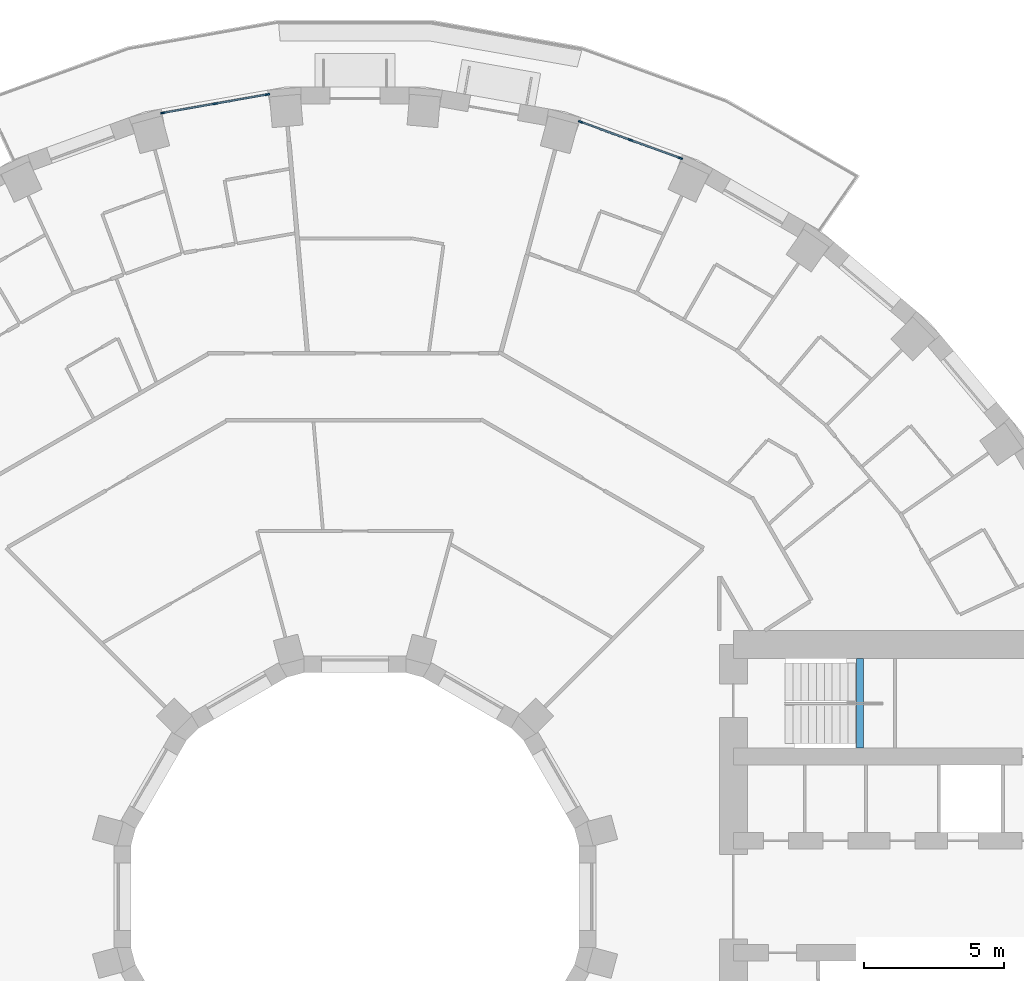
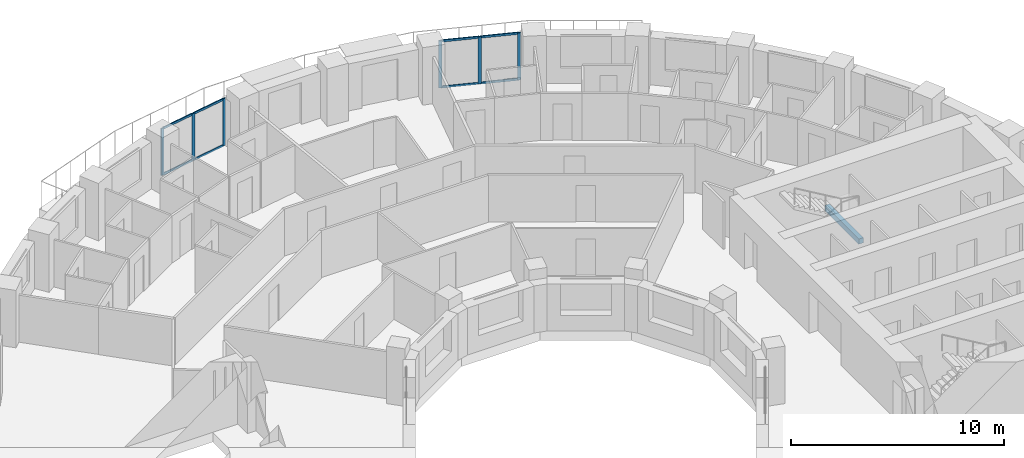
# One storey, part 2 of 15: 14 members, 1 beam, 2 elements without a shape of their own.
"""IFC4 building model written with IfcOpenShell, lengths in metres."""

from ifc_helpers import new_model, si_unit, direction, frame, origin, origin_2d, place, context, subcontext, project, spatial, rectangle, extrude, material, layer, layer_set, material_profile, profile_set, type_object, element, aggregate, save


model = new_model("IFC4")

# Units and contexts
model_context = context("Model", 3, precision=1e-05, world=origin(), true_north=direction((0.0, 1.0)))
body_context = subcontext(model_context, "Body", "Model", "MODEL_VIEW")
ifc_project = project(units=[si_unit("LENGTHUNIT", "METRE"), si_unit("AREAUNIT", "SQUARE_METRE"), si_unit("VOLUMEUNIT", "CUBIC_METRE"), si_unit("PLANEANGLEUNIT", "RADIAN"), si_unit("MASSUNIT", "GRAM", prefix="KILO")], contexts=[model_context])

# Site, building, storey
site_placement = place(None, origin())
site = spatial("IfcSite", under=ifc_project, at=site_placement, CompositionType="ELEMENT")
building_placement = place(site_placement, origin())
building = spatial("IfcBuilding", under=site, at=building_placement, Name="Saqina Gate Tower", CompositionType="ELEMENT")
storey_placement = place(building_placement, frame((0.0, 0.0, 79.10009765625)))
storey = spatial("IfcBuildingStorey", under=building, at=storey_placement, Name="L22", CompositionType="ELEMENT", Elevation=79.10009765625)

# Curtain wall, members
ifc_material_1 = material(Name="Aluminium glazing", Category="aluminium")
ifc_layer = layer(ifc_material_1, 0.159912109375)
ifc_layer_set = layer_set([ifc_layer], Name="CWT-4")
curtain_wall_type = type_object("IfcCurtainWallType", Name="CWT-4", PredefinedType="NOTDEFINED", material=ifc_layer_set)
curtain_wall_1_placement = place(storey_placement, origin())
curtain_wall_1 = element("IfcCurtainWall", 1, at=curtain_wall_1_placement, inside=storey, type_object=curtain_wall_type, Name="Terrace lounge glazing facet 7", PredefinedType="NOTDEFINED")
ifc_material_2 = material(Name="Aluminium", Category="aluminium")
ifc_material_profile_1 = material_profile(ifc_material_2, rectangle(XDim=0.06005859375, YDim=0.159912109375, at=origin_2d()), Name="Aluminium 60x160")
ifc_profile_set_1 = profile_set([ifc_material_profile_1], Name="Aluminium")
member_type_1 = type_object("IfcMemberType", Name="CWT-4M", PredefinedType="MULLION", material=ifc_profile_set_1)
member_1_placement = place(storey_placement, frame((11.6083984375, 26.359130859375, 0.0), z_axis=(0.0, 0.0, 1.0), x_axis=(-0.34200819699, -0.939696968811, 0.0)))
member_1 = element("IfcMember", 2, at=member_1_placement, type_object=member_type_1, Name="CW4-07 mullion 1", PredefinedType="MULLION", context=body_context, shape_type="SweptSolid", body=[
    extrude(rectangle(XDim=0.06005859375, YDim=0.159912109375, at=origin_2d()), origin(), (0.0, 0.0, 1.0), 2.699951171875),
])
member_2_placement = place(storey_placement, frame((9.82958984375, 27.00634765625, 0.0), z_axis=(0.0, 0.0, 1.0), x_axis=(-0.34200819699, -0.939696968811, 0.0)))
member_2 = element("IfcMember", 3, at=member_2_placement, type_object=member_type_1, Name="CW4-07 mullion 2", PredefinedType="MULLION", context=body_context, shape_type="SweptSolid", body=[
    extrude(rectangle(XDim=0.06005859375, YDim=0.159912109375, at=origin_2d()), origin(), (0.0, 0.0, 1.0), 2.699951171875),
])
member_3_placement = place(storey_placement, frame((8.05078125, 27.65380859375, 0.0), z_axis=(0.0, 0.0, 1.0), x_axis=(-0.34200819699, -0.939696968811, 0.0)))
member_3 = element("IfcMember", 4, at=member_3_placement, type_object=member_type_1, Name="CW4-07 mullion 3", PredefinedType="MULLION", context=body_context, shape_type="SweptSolid", body=[
    extrude(rectangle(XDim=0.06005859375, YDim=0.159912109375, at=origin_2d()), origin(), (0.0, 0.0, 1.0), 2.699951171875),
])

curtain_wall_2_placement = place(storey_placement, origin())
curtain_wall_2 = element("IfcCurtainWall", 5, at=curtain_wall_2_placement, inside=storey, type_object=curtain_wall_type, Name="Terrace lounge glazing facet 10", PredefinedType="NOTDEFINED")
member_4_placement = place(storey_placement, frame((-3.12646484375, 28.631591796875, 0.0), z_axis=(0.0, 0.0, 1.0), x_axis=(0.17364293059, -0.984808678199, 0.0)))
member_4 = element("IfcMember", 6, at=member_4_placement, type_object=member_type_1, Name="CW4-10 mullion 1", PredefinedType="MULLION", context=body_context, shape_type="SweptSolid", body=[
    extrude(rectangle(XDim=0.06005859375, YDim=0.159912109375, at=origin_2d()), origin(), (0.0, 0.0, 1.0), 2.699951171875),
])
member_5_placement = place(storey_placement, frame((-4.990478515625, 28.302978515625, 0.0), z_axis=(0.0, 0.0, 1.0), x_axis=(0.17364293059, -0.984808678199, 0.0)))
member_5 = element("IfcMember", 7, at=member_5_placement, type_object=member_type_1, Name="CW4-10 mullion 2", PredefinedType="MULLION", context=body_context, shape_type="SweptSolid", body=[
    extrude(rectangle(XDim=0.06005859375, YDim=0.159912109375, at=origin_2d()), origin(), (0.0, 0.0, 1.0), 2.699951171875),
])
member_6_placement = place(storey_placement, frame((-6.854736328125, 27.974365234375, 0.0), z_axis=(0.0, 0.0, 1.0), x_axis=(0.17364293059, -0.984808678199, 0.0)))
member_6 = element("IfcMember", 8, at=member_6_placement, type_object=member_type_1, Name="CW4-10 mullion 3", PredefinedType="MULLION", context=body_context, shape_type="SweptSolid", body=[
    extrude(rectangle(XDim=0.06005859375, YDim=0.159912109375, at=origin_2d()), origin(), (0.0, 0.0, 1.0), 2.699951171875),
])

# Member
ifc_material_3 = material(Name="Aluminium", Category="aluminium")
ifc_material_profile_2 = material_profile(ifc_material_3, rectangle(XDim=0.06005859375, YDim=0.1201171875, at=origin_2d()), Name="Aluminium 60x120")
ifc_profile_set_2 = profile_set([ifc_material_profile_2], Name="Aluminium")
member_type_2 = type_object("IfcMemberType", Name="CWT-4T", PredefinedType="USERDEFINED", material=ifc_profile_set_2)
member_7_placement = place(storey_placement, frame((11.580078125, 26.369384765625, 0.02978515625), z_axis=(-0.939727291942, 0.34192487008, 0.0), x_axis=(-0.34192487008, -0.939727291942, 0.0)))
member_7 = element("IfcMember", 9, at=member_7_placement, type_object=member_type_2, Name="CW4-07 transom 1.1", ObjectType="TRANSOM", PredefinedType="USERDEFINED", context=body_context, shape_type="SweptSolid", body=[
    extrude(rectangle(XDim=0.06005859375, YDim=0.1201171875, at=origin_2d()), origin(), (0.0, 0.0, 1.0), 1.832763671875),
])

member_8_placement = place(storey_placement, frame((11.580078125, 26.369384765625, 2.669921875), z_axis=(-0.939727291942, 0.34192487008, 0.0), x_axis=(-0.34192487008, -0.939727291942, 0.0)))
member_8 = element("IfcMember", 10, at=member_8_placement, type_object=member_type_2, Name="CW4-07 transom 1.2", ObjectType="TRANSOM", PredefinedType="USERDEFINED", context=body_context, shape_type="SweptSolid", body=[
    extrude(rectangle(XDim=0.06005859375, YDim=0.1201171875, at=origin_2d()), origin(), (0.0, 0.0, 1.0), 1.832763671875),
])

member_9_placement = place(storey_placement, frame((9.80126953125, 27.0166015625, 0.02978515625), z_axis=(-0.939668901449, 0.342085304639, 0.0), x_axis=(-0.342085304639, -0.939668901449, 0.0)))
member_9 = element("IfcMember", 11, at=member_9_placement, type_object=member_type_2, Name="CW4-07 transom 2.1", ObjectType="TRANSOM", PredefinedType="USERDEFINED", context=body_context, shape_type="SweptSolid", body=[
    extrude(rectangle(XDim=0.06005859375, YDim=0.1201171875, at=origin_2d()), origin(), (0.0, 0.0, 1.0), 1.832763671875),
])

member_10_placement = place(storey_placement, frame((9.80126953125, 27.0166015625, 2.669921875), z_axis=(-0.939668901449, 0.342085304639, 0.0), x_axis=(-0.342085304639, -0.939668901449, 0.0)))
member_10 = element("IfcMember", 12, at=member_10_placement, type_object=member_type_2, Name="CW4-07 transom 2.2", ObjectType="TRANSOM", PredefinedType="USERDEFINED", context=body_context, shape_type="SweptSolid", body=[
    extrude(rectangle(XDim=0.06005859375, YDim=0.1201171875, at=origin_2d()), origin(), (0.0, 0.0, 1.0), 1.832763671875),
])

aggregate(curtain_wall_1, [member_1, member_2, member_3, member_7, member_8, member_9, member_10])

member_11_placement = place(storey_placement, frame((-3.156005859375, 28.62646484375, 0.02978515625), z_axis=(-0.984798306365, -0.173701743744, 0.0), x_axis=(0.173701743744, -0.984798306365, 0.0)))
member_11 = element("IfcMember", 13, at=member_11_placement, type_object=member_type_2, Name="CW4-10 transom 1.1", ObjectType="TRANSOM", PredefinedType="USERDEFINED", context=body_context, shape_type="SweptSolid", body=[
    extrude(rectangle(XDim=0.06005859375, YDim=0.1201171875, at=origin_2d()), origin(), (0.0, 0.0, 1.0), 1.832763671875),
])

member_12_placement = place(storey_placement, frame((-3.156005859375, 28.62646484375, 2.669921875), z_axis=(-0.984798306365, -0.173701743744, 0.0), x_axis=(0.173701743744, -0.984798306365, 0.0)))
member_12 = element("IfcMember", 14, at=member_12_placement, type_object=member_type_2, Name="CW4-10 transom 1.2", ObjectType="TRANSOM", PredefinedType="USERDEFINED", context=body_context, shape_type="SweptSolid", body=[
    extrude(rectangle(XDim=0.06005859375, YDim=0.1201171875, at=origin_2d()), origin(), (0.0, 0.0, 1.0), 1.832763671875),
])

member_13_placement = place(storey_placement, frame((-5.020263671875, 28.2978515625, 0.02978515625), z_axis=(-0.984798306365, -0.173701743744, 0.0), x_axis=(0.173701743744, -0.984798306365, 0.0)))
member_13 = element("IfcMember", 15, at=member_13_placement, type_object=member_type_2, Name="CW4-10 transom 2.1", ObjectType="TRANSOM", PredefinedType="USERDEFINED", context=body_context, shape_type="SweptSolid", body=[
    extrude(rectangle(XDim=0.06005859375, YDim=0.1201171875, at=origin_2d()), origin(), (0.0, 0.0, 1.0), 1.832763671875),
])

member_14_placement = place(storey_placement, frame((-5.020263671875, 28.2978515625, 2.669921875), z_axis=(-0.984798306365, -0.173701743744, 0.0), x_axis=(0.173701743744, -0.984798306365, 0.0)))
member_14 = element("IfcMember", 16, at=member_14_placement, type_object=member_type_2, Name="CW4-10 transom 2.2", ObjectType="TRANSOM", PredefinedType="USERDEFINED", context=body_context, shape_type="SweptSolid", body=[
    extrude(rectangle(XDim=0.06005859375, YDim=0.1201171875, at=origin_2d()), origin(), (0.0, 0.0, 1.0), 1.832763671875),
])

aggregate(curtain_wall_2, [member_4, member_5, member_6, member_11, member_12, member_13, member_14])

# Beam
ifc_material_4 = material(Name="Concrete C40/50", Category="concrete")
ifc_material_profile_3 = material_profile(ifc_material_4, rectangle(XDim=0.25, YDim=0.300048828125, at=origin_2d()), Name="STAIR LANDING BEAM")
ifc_profile_set_3 = profile_set([ifc_material_profile_3], Name="Concrete C40/50")
beam_type = type_object("IfcBeamType", Name="STAIR LANDING BEAM", PredefinedType="BEAM", material=ifc_profile_set_3)
beam_placement = place(storey_placement, frame((18.02001953125, 5.300048828125, 1.25), z_axis=(0.0, 1.0, 0.0), x_axis=(-1.0, 0.0, 0.0)))
element("IfcBeam", 17, at=beam_placement, inside=storey, type_object=beam_type, Name="EXIT STAIR 1 LANDING BEAM", PredefinedType="BEAM", context=body_context, shape_type="SweptSolid", body=[
    extrude(rectangle(XDim=0.25, YDim=0.300048828125, at=origin_2d()), origin(), (0.0, 0.0, 1.0), 3.199951171875),
])

save(model, "model.ifc")
